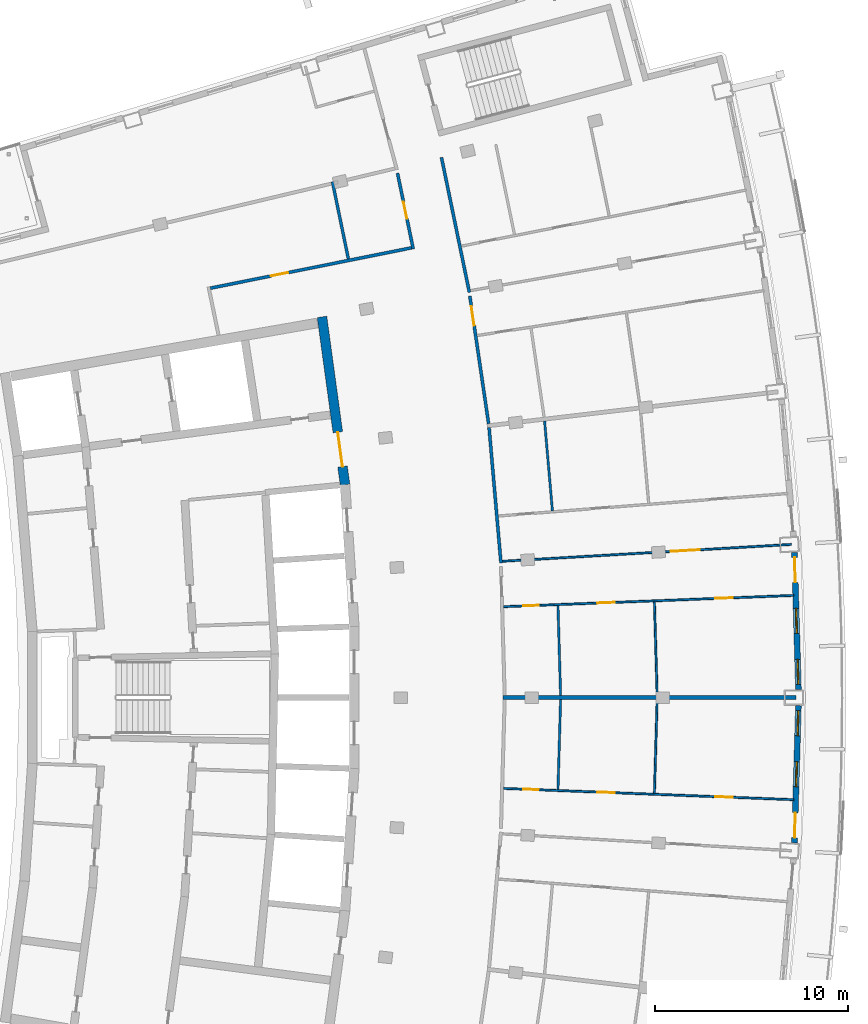
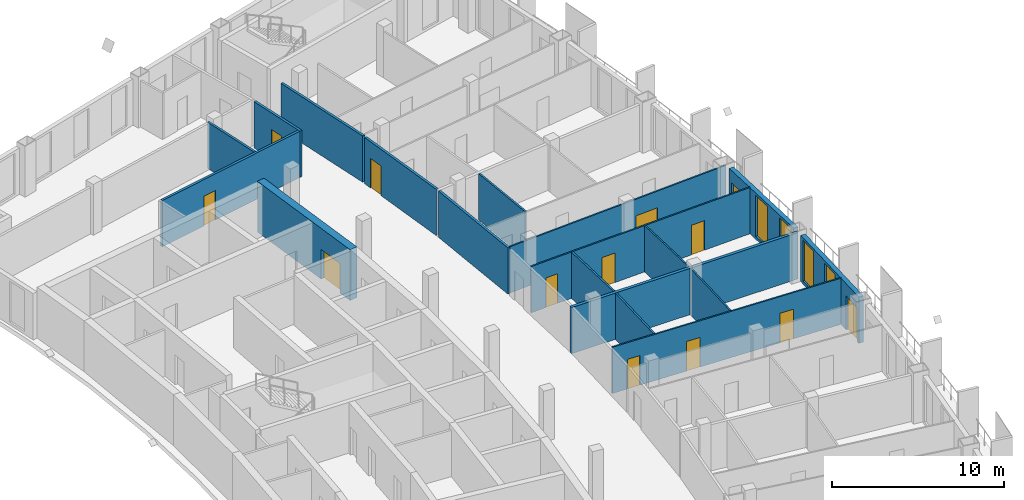
# One storey, part 11 of 17: 18 walls, 13 doors, 4 windows, 17 openings.
"""IFC4 building model written with IfcOpenShell, lengths in metres."""

from ifc_helpers import new_model, si_unit, direction, frame, frame_2d, origin, place, context, subcontext, project, spatial, rectangle, extrude, material, layer, layer_set, type_object, element, fill, save


model = new_model("IFC4")

# Units and contexts
model_context = context("Model", 3, precision=1e-05, world=origin(), true_north=direction((0.0, 1.0)))
body_context = subcontext(model_context, "Body", "Model", "MODEL_VIEW")
ifc_project = project(units=[si_unit("LENGTHUNIT", "METRE"), si_unit("AREAUNIT", "SQUARE_METRE"), si_unit("VOLUMEUNIT", "CUBIC_METRE"), si_unit("PLANEANGLEUNIT", "RADIAN"), si_unit("MASSUNIT", "GRAM", prefix="KILO")], contexts=[model_context])

# Site, building, storey
site_placement = place(None, origin())
site = spatial("IfcSite", under=ifc_project, at=site_placement, CompositionType="ELEMENT")
building_placement = place(site_placement, origin())
building = spatial("IfcBuilding", under=site, at=building_placement, Name="Alderwake Tower", CompositionType="ELEMENT")
storey_placement = place(building_placement, frame((0.0, 0.0, 274.39990234375)))
storey = spatial("IfcBuildingStorey", under=building, at=storey_placement, Name="L68", CompositionType="ELEMENT", Elevation=274.39990234375)

# Wall, opening, door
ifc_material_1 = material(Name="Concrete C70/85", Category="concrete")
ifc_layer_1 = layer(ifc_material_1, 0.5)
ifc_layer_set_1 = layer_set([ifc_layer_1], Name="Core wall outer 500 C70-85")
wall_type_1 = type_object("IfcWallType", Name="Core wall outer 500 C70-85", PredefinedType="SHEAR", material=ifc_layer_set_1)
wall_1_placement = place(storey_placement, frame((31.71728515625, 80.752685546875, 0.0), z_axis=(0.0, 0.0, 1.0), x_axis=(0.1358539401, -0.990728876615, 0.0)))
wall_1 = element("IfcWall", 1, at=wall_1_placement, inside=storey, type_object=wall_type_1, Name="Core wall CW.019", PredefinedType="SHEAR", context=body_context, shape_type="SweptSolid", body=[
    extrude(rectangle(XDim=8.794921875, YDim=0.5, at=frame_2d((4.3974609375, 0.0))), origin(), (0.0, 0.0, 1.0), 3.60009765625),
])
opening_1_placement = place(wall_1_placement, frame((6.0419921875, 0.0, 0.0)))
opening_1 = element("IfcOpeningElement", 2, at=opening_1_placement, cuts=wall_1, Name="Opening C001", PredefinedType="OPENING", context=body_context, shape_type="SweptSolid", body=[
    extrude(rectangle(XDim=1.800048828125, YDim=2.10009765625, at=frame_2d((0.89990234375, 1.050048828125))), frame((0.0, 0.260009765625, 0.0), z_axis=(0.0, -1.0, 0.0), x_axis=(1.0, 0.0, 0.0)), (0.0, 0.0, 1.0), 0.52001953125),
])
ifc_material_2 = material(Name="Steel-framed fire door leaves", Category="steel")
door_type_1 = type_object("IfcDoorType", Name="Core double door 1800 fire-rated", OperationType="DOUBLE_DOOR_SINGLE_SWING", PredefinedType="DOOR", material=ifc_material_2)
door_1_placement = place(opening_1_placement, origin())
door_1 = element("IfcDoor", 3, at=door_1_placement, inside=storey, type_object=door_type_1, Name="Lobby double door", OperationType="DOUBLE_DOOR_SINGLE_SWING", OverallHeight=2.10009765625, OverallWidth=1.800048828125, PredefinedType="DOOR", context=body_context, shape_type="SweptSolid", body=[
    extrude(rectangle(XDim=1.800048828125, YDim=2.10009765625, at=frame_2d((0.89990234375, 1.050048828125))), frame((0.0, 0.02490234375, 0.0), z_axis=(0.0, -1.0, 0.0), x_axis=(1.0, 0.0, 0.0)), (0.0, 0.0, 1.0), 0.050048828125),
])
fill(opening_1, door_1)

ifc_material_3 = material(Name="Gypsum board on metal studs, rated")
ifc_layer_2 = layer(ifc_material_3, 0.159912109375)
ifc_layer_set_2 = layer_set([ifc_layer_2], Name="Corridor wall 160")
wall_type_2 = type_object("IfcWallType", Name="Corridor wall 160", PredefinedType="PARTITIONING", material=ifc_layer_set_2)
wall_2_placement = place(storey_placement, frame((36.451416015625, 84.272705078125, 0.0), z_axis=(0.0, 0.0, 1.0), x_axis=(-0.203258199701, 0.979125172924, 0.0)))
wall_2 = element("IfcWall", 4, at=wall_2_placement, inside=storey, type_object=wall_type_2, Name="WL/L68/W15", PredefinedType="PARTITIONING", context=body_context, shape_type="SweptSolid", body=[
    extrude(rectangle(XDim=4.020263671875, YDim=0.159912109375, at=frame_2d((2.01025390625, 0.0))), origin(), (0.0, 0.0, 1.0), 3.280029296875),
])
opening_2_placement = place(wall_2_placement, frame((1.599609375, 0.0, 0.0)))
opening_2 = element("IfcOpeningElement", 5, at=opening_2_placement, cuts=wall_2, Name="Opening R19-SBN2", PredefinedType="OPENING", context=body_context, shape_type="SweptSolid", body=[
    extrude(rectangle(XDim=0.89990234375, YDim=2.10009765625, at=frame_2d((0.449951171875, 1.050048828125))), frame((0.0, 0.08984375, 0.0), z_axis=(0.0, -1.0, 0.0), x_axis=(1.0, 0.0, 0.0)), (0.0, 0.0, 1.0), 0.179931640625),
])
ifc_material_4 = material(Name="Painted timber leaf", Category="wood")
door_type_2 = type_object("IfcDoorType", Name="Room door 900", OperationType="SINGLE_SWING_LEFT", PredefinedType="DOOR", material=ifc_material_4)
door_2_placement = place(opening_2_placement, origin())
door_2 = element("IfcDoor", 6, at=door_2_placement, inside=storey, type_object=door_type_2, Name="DR/L68/SBN2", OperationType="SINGLE_SWING_LEFT", OverallHeight=2.10009765625, OverallWidth=0.89990234375, PredefinedType="DOOR", context=body_context, shape_type="SweptSolid", body=[
    extrude(rectangle(XDim=0.89990234375, YDim=2.10009765625, at=frame_2d((0.449951171875, 1.050048828125))), frame((0.0, 0.02490234375, 0.0), z_axis=(0.0, -1.0, 0.0), x_axis=(1.0, 0.0, 0.0)), (0.0, 0.0, 1.0), 0.050048828125),
])
fill(opening_2, door_2)

wall_3_placement = place(storey_placement, frame((25.926513671875, 82.24267578125, 0.0), z_axis=(0.0, 0.0, 1.0), x_axis=(0.98046310274, 0.196703086316, 0.0)))
wall_3 = element("IfcWall", 7, at=wall_3_placement, inside=storey, type_object=wall_type_2, Name="WL/L68/W17", PredefinedType="PARTITIONING", context=body_context, shape_type="SweptSolid", body=[
    extrude(rectangle(XDim=10.637939453125, YDim=0.159912109375, at=frame_2d((5.31884765625, 0.0))), origin(), (0.0, 0.0, 1.0), 3.280029296875),
])
opening_3_placement = place(wall_3_placement, frame((3.208984375, 0.0, 0.0)))
opening_3 = element("IfcOpeningElement", 8, at=opening_3_placement, cuts=wall_3, Name="Opening R19-SBN1", PredefinedType="OPENING", context=body_context, shape_type="SweptSolid", body=[
    extrude(rectangle(XDim=0.89990234375, YDim=2.10009765625, at=frame_2d((0.449951171875, 1.050048828125))), frame((0.0, 0.08984375, 0.0), z_axis=(0.0, -1.0, 0.0), x_axis=(1.0, 0.0, 0.0)), (0.0, 0.0, 1.0), 0.179931640625),
])
door_3_placement = place(opening_3_placement, origin())
door_3 = element("IfcDoor", 9, at=door_3_placement, inside=storey, type_object=door_type_2, Name="DR/L68/SBN1", OperationType="SINGLE_SWING_LEFT", OverallHeight=2.10009765625, OverallWidth=0.89990234375, PredefinedType="DOOR", context=body_context, shape_type="SweptSolid", body=[
    extrude(rectangle(XDim=0.89990234375, YDim=2.10009765625, at=frame_2d((0.449951171875, 1.050048828125))), frame((0.0, 0.02490234375, 0.0), z_axis=(0.0, -1.0, 0.0), x_axis=(1.0, 0.0, 0.0)), (0.0, 0.0, 1.0), 0.050048828125),
])
fill(opening_3, door_3)

# Wall
wall_4_placement = place(storey_placement, frame((39.3642578125, 82.022705078125, 0.0), z_axis=(0.0, 0.0, 1.0), x_axis=(-0.202409142021, 0.979301046271, 0.0)))
element("IfcWall", 10, at=wall_4_placement, inside=storey, type_object=wall_type_2, Name="WL/L68/W20", PredefinedType="PARTITIONING", context=body_context, shape_type="SweptSolid", body=[
    extrude(rectangle(XDim=7.150146484375, YDim=0.159912109375, at=frame_2d((3.5751953125, 0.0))), origin(), (0.0, 0.0, 1.0), 3.280029296875),
])

# Wall, opening, door
wall_5_placement = place(storey_placement, frame((39.38671875, 81.837158203125, 0.0), z_axis=(0.0, 0.0, 1.0), x_axis=(0.145576845789, -0.989346947218, 0.0)))
wall_5 = element("IfcWall", 11, at=wall_5_placement, inside=storey, type_object=wall_type_2, Name="WL/L68/W21", PredefinedType="PARTITIONING", context=body_context, shape_type="SweptSolid", body=[
    extrude(rectangle(XDim=6.701416015625, YDim=0.159912109375, at=frame_2d((3.3505859375, 0.0))), origin(), (0.0, 0.0, 1.0), 3.280029296875),
])
opening_4_placement = place(wall_5_placement, frame((0.54443359375, 0.0, 0.0)))
opening_4 = element("IfcOpeningElement", 12, at=opening_4_placement, cuts=wall_5, Name="Opening R19-U06.2", PredefinedType="OPENING", context=body_context, shape_type="SweptSolid", body=[
    extrude(rectangle(XDim=1.0, YDim=2.10009765625, at=frame_2d((0.5, 1.050048828125))), frame((0.0, 0.08984375, 0.0), z_axis=(0.0, -1.0, 0.0), x_axis=(1.0, 0.0, 0.0)), (0.0, 0.0, 1.0), 0.179931640625),
])
ifc_material_5 = material(Name="Solid timber leaf in steel frame", Category="steel")
door_type_3 = type_object("IfcDoorType", Name="Flat entrance door 1000 fire-rated", OperationType="SINGLE_SWING_LEFT", PredefinedType="DOOR", material=ifc_material_5)
door_4_placement = place(opening_4_placement, origin())
door_4 = element("IfcDoor", 13, at=door_4_placement, inside=storey, type_object=door_type_3, Name="DR/L68/U06.2", OperationType="SINGLE_SWING_LEFT", OverallHeight=2.10009765625, OverallWidth=1.0, PredefinedType="DOOR", context=body_context, shape_type="SweptSolid", body=[
    extrude(rectangle(XDim=1.0, YDim=2.10009765625, at=frame_2d((0.5, 1.050048828125))), frame((0.0, 0.02490234375, 0.0), z_axis=(0.0, -1.0, 0.0), x_axis=(1.0, 0.0, 0.0)), (0.0, 0.0, 1.0), 0.050048828125),
])
fill(opening_4, door_4)

# Wall
wall_6_placement = place(storey_placement, frame((41.001953125, 67.9873046875, 0.0), z_axis=(0.0, 0.0, 1.0), x_axis=(-0.087430787456, 0.996170596537, 0.0)))
element("IfcWall", 14, at=wall_6_placement, inside=storey, type_object=wall_type_2, Name="WL/L68/W24", PredefinedType="PARTITIONING", context=body_context, shape_type="SweptSolid", body=[
    extrude(rectangle(XDim=7.048095703125, YDim=0.159912109375, at=frame_2d((3.52392578125, 0.0))), origin(), (0.0, 0.0, 1.0), 3.280029296875),
])

# Wall, openings, door, windows
ifc_material_6 = material(Name="Precast concrete C50/60 spandrel panel", Category="concrete")
ifc_layer_3 = layer(ifc_material_6, 0.300048828125)
ifc_layer_set_3 = layer_set([ifc_layer_3], Name="External wall EW1 Precast concrete C50/60 spandrel")
wall_type_3 = type_object("IfcWallType", Name="External wall EW1 Precast concrete C50/60 spandrel", PredefinedType="SOLIDWALL", material=ifc_layer_set_3)
wall_7_placement = place(storey_placement, frame((56.230224609375, 53.46630859375, 0.0), z_axis=(0.0, 0.0, 1.0), x_axis=(0.029165124817, 0.999574607268, 0.0)))
wall_7 = element("IfcWall", 15, at=wall_7_placement, inside=storey, type_object=wall_type_3, Name="External wall 15", PredefinedType="SOLIDWALL", context=body_context, shape_type="SweptSolid", body=[
    extrude(rectangle(XDim=7.115234375, YDim=0.300048828125, at=frame_2d((3.5576171875, 0.0))), origin(), (0.0, 0.0, 1.0), 3.280029296875),
])
opening_5_placement = place(wall_7_placement, frame((0.259521484375, 0.0, 0.0)))
opening_5 = element("IfcOpeningElement", 16, at=opening_5_placement, cuts=wall_7, Name="Opening D05", PredefinedType="OPENING", context=body_context, shape_type="SweptSolid", body=[
    extrude(rectangle(XDim=1.300048828125, YDim=2.39990234375, at=frame_2d((0.64990234375, 1.199951171875))), frame((0.0, 0.159912109375, 0.0), z_axis=(0.0, -1.0, 0.0), x_axis=(1.0, 0.0, 0.0)), (0.0, 0.0, 1.0), 0.320068359375),
])
opening_6_placement = place(wall_7_placement, frame((2.907470703125, 0.0, 0.199951171875)))
opening_6 = element("IfcOpeningElement", 17, at=opening_6_placement, cuts=wall_7, Name="Opening W1", PredefinedType="OPENING", context=body_context, shape_type="SweptSolid", body=[
    extrude(rectangle(XDim=1.300048828125, YDim=2.89990234375, at=frame_2d((0.64990234375, 1.449951171875))), frame((0.0, 0.159912109375, 0.0), z_axis=(0.0, -1.0, 0.0), x_axis=(1.0, 0.0, 0.0)), (0.0, 0.0, 1.0), 0.320068359375),
])
opening_7_placement = place(wall_7_placement, frame((5.555419921875, 0.0, 0.199951171875)))
opening_7 = element("IfcOpeningElement", 18, at=opening_7_placement, cuts=wall_7, Name="Opening W1", PredefinedType="OPENING", context=body_context, shape_type="SweptSolid", body=[
    extrude(rectangle(XDim=1.300048828125, YDim=2.89990234375, at=frame_2d((0.64990234375, 1.449951171875))), frame((0.0, 0.159912109375, 0.0), z_axis=(0.0, -1.0, 0.0), x_axis=(1.0, 0.0, 0.0)), (0.0, 0.0, 1.0), 0.320068359375),
])
ifc_material_7 = material(Name="Bronze tinted glass in aluminium frame", Category="aluminium")
door_type_4 = type_object("IfcDoorType", Name="Balcony door BD sliding", OperationType="SLIDING_TO_LEFT", PredefinedType="DOOR", material=ifc_material_7)
door_5_placement = place(opening_5_placement, origin())
door_5 = element("IfcDoor", 19, at=door_5_placement, inside=storey, type_object=door_type_4, Name="Door D05", OperationType="SLIDING_TO_LEFT", OverallHeight=2.39990234375, OverallWidth=1.300048828125, PredefinedType="DOOR", context=body_context, shape_type="SweptSolid", body=[
    extrude(rectangle(XDim=1.300048828125, YDim=2.39990234375, at=frame_2d((0.64990234375, 1.199951171875))), frame((0.0, 0.02490234375, 0.0), z_axis=(0.0, -1.0, 0.0), x_axis=(1.0, 0.0, 0.0)), (0.0, 0.0, 1.0), 0.050048828125),
])
fill(opening_5, door_5)
ifc_material_8 = material(Name="Bronze tinted glass in aluminium frame", Category="aluminium")
window_type = type_object("IfcWindowType", Name="Window W1 tall fixed and vent", PartitioningType="DOUBLE_PANEL_VERTICAL", PredefinedType="WINDOW", material=ifc_material_8)
window_1_placement = place(opening_6_placement, origin())
window_1 = element("IfcWindow", 20, at=window_1_placement, inside=storey, type_object=window_type, Name="Window W1 tall fixed and vent", OverallHeight=2.89990234375, OverallWidth=1.300048828125, PartitioningType="DOUBLE_PANEL_VERTICAL", PredefinedType="WINDOW", context=body_context, shape_type="SweptSolid", body=[
    extrude(rectangle(XDim=1.300048828125, YDim=2.89990234375, at=frame_2d((0.64990234375, 1.449951171875))), frame((0.0, 0.030029296875, 0.0), z_axis=(0.0, -1.0, 0.0), x_axis=(1.0, 0.0, 0.0)), (0.0, 0.0, 1.0), 0.06005859375),
])
fill(opening_6, window_1)
window_2_placement = place(opening_7_placement, origin())
window_2 = element("IfcWindow", 21, at=window_2_placement, inside=storey, type_object=window_type, Name="Window W1 tall fixed and vent", OverallHeight=2.89990234375, OverallWidth=1.300048828125, PartitioningType="DOUBLE_PANEL_VERTICAL", PredefinedType="WINDOW", context=body_context, shape_type="SweptSolid", body=[
    extrude(rectangle(XDim=1.300048828125, YDim=2.89990234375, at=frame_2d((0.64990234375, 1.449951171875))), frame((0.0, 0.030029296875, 0.0), z_axis=(0.0, -1.0, 0.0), x_axis=(1.0, 0.0, 0.0)), (0.0, 0.0, 1.0), 0.06005859375),
])
fill(opening_7, window_2)

wall_8_placement = place(storey_placement, frame((56.437744140625, 61.42138671875, 0.0), z_axis=(0.0, 0.0, 1.0), x_axis=(-0.029165124817, 0.999574607268, 0.0)))
wall_8 = element("IfcWall", 22, at=wall_8_placement, inside=storey, type_object=wall_type_3, Name="External wall 16", PredefinedType="SOLIDWALL", context=body_context, shape_type="SweptSolid", body=[
    extrude(rectangle(XDim=7.115234375, YDim=0.300048828125, at=frame_2d((3.5576171875, 0.0))), origin(), (0.0, 0.0, 1.0), 3.280029296875),
])
opening_8_placement = place(wall_8_placement, frame((0.259521484375, 0.0, 0.199951171875)))
opening_8 = element("IfcOpeningElement", 23, at=opening_8_placement, cuts=wall_8, Name="Opening W1", PredefinedType="OPENING", context=body_context, shape_type="SweptSolid", body=[
    extrude(rectangle(XDim=1.300048828125, YDim=2.89990234375, at=frame_2d((0.64990234375, 1.449951171875))), frame((0.0, 0.159912109375, 0.0), z_axis=(0.0, -1.0, 0.0), x_axis=(1.0, 0.0, 0.0)), (0.0, 0.0, 1.0), 0.320068359375),
])
opening_9_placement = place(wall_8_placement, frame((2.907470703125, 0.0, 0.199951171875)))
opening_9 = element("IfcOpeningElement", 24, at=opening_9_placement, cuts=wall_8, Name="Opening W1", PredefinedType="OPENING", context=body_context, shape_type="SweptSolid", body=[
    extrude(rectangle(XDim=1.300048828125, YDim=2.89990234375, at=frame_2d((0.64990234375, 1.449951171875))), frame((0.0, 0.159912109375, 0.0), z_axis=(0.0, -1.0, 0.0), x_axis=(1.0, 0.0, 0.0)), (0.0, 0.0, 1.0), 0.320068359375),
])
opening_10_placement = place(wall_8_placement, frame((5.555419921875, 0.0, 0.0)))
opening_10 = element("IfcOpeningElement", 25, at=opening_10_placement, cuts=wall_8, Name="Opening D06", PredefinedType="OPENING", context=body_context, shape_type="SweptSolid", body=[
    extrude(rectangle(XDim=1.300048828125, YDim=2.39990234375, at=frame_2d((0.64990234375, 1.199951171875))), frame((0.0, 0.159912109375, 0.0), z_axis=(0.0, -1.0, 0.0), x_axis=(1.0, 0.0, 0.0)), (0.0, 0.0, 1.0), 0.320068359375),
])
door_6_placement = place(opening_10_placement, origin())
door_6 = element("IfcDoor", 26, at=door_6_placement, inside=storey, type_object=door_type_4, Name="Door D06", OperationType="SLIDING_TO_LEFT", OverallHeight=2.39990234375, OverallWidth=1.300048828125, PredefinedType="DOOR", context=body_context, shape_type="SweptSolid", body=[
    extrude(rectangle(XDim=1.300048828125, YDim=2.39990234375, at=frame_2d((0.64990234375, 1.199951171875))), frame((0.0, 0.02490234375, 0.0), z_axis=(0.0, -1.0, 0.0), x_axis=(1.0, 0.0, 0.0)), (0.0, 0.0, 1.0), 0.050048828125),
])
fill(opening_10, door_6)
window_3_placement = place(opening_8_placement, origin())
window_3 = element("IfcWindow", 27, at=window_3_placement, inside=storey, type_object=window_type, Name="Window W1 tall fixed and vent", OverallHeight=2.89990234375, OverallWidth=1.300048828125, PartitioningType="DOUBLE_PANEL_VERTICAL", PredefinedType="WINDOW", context=body_context, shape_type="SweptSolid", body=[
    extrude(rectangle(XDim=1.300048828125, YDim=2.89990234375, at=frame_2d((0.64990234375, 1.449951171875))), frame((0.0, 0.030029296875, 0.0), z_axis=(0.0, -1.0, 0.0), x_axis=(1.0, 0.0, 0.0)), (0.0, 0.0, 1.0), 0.06005859375),
])
fill(opening_8, window_3)
window_4_placement = place(opening_9_placement, origin())
window_4 = element("IfcWindow", 28, at=window_4_placement, inside=storey, type_object=window_type, Name="Window W1 tall fixed and vent", OverallHeight=2.89990234375, OverallWidth=1.300048828125, PartitioningType="DOUBLE_PANEL_VERTICAL", PredefinedType="WINDOW", context=body_context, shape_type="SweptSolid", body=[
    extrude(rectangle(XDim=1.300048828125, YDim=2.89990234375, at=frame_2d((0.64990234375, 1.449951171875))), frame((0.0, 0.030029296875, 0.0), z_axis=(0.0, -1.0, 0.0), x_axis=(1.0, 0.0, 0.0)), (0.0, 0.0, 1.0), 0.06005859375),
])
fill(opening_9, window_4)

# Walls
ifc_material_9 = material(Name="Dense block masonry wall", Category="masonry")
ifc_layer_4 = layer(ifc_material_9, 0.199951171875)
ifc_layer_set_4 = layer_set([ifc_layer_4], Name="Party wall 200")
wall_type_4 = type_object("IfcWallType", Name="Party wall 200", PredefinedType="SOLIDWALL", material=ifc_layer_set_4)
wall_9_placement = place(storey_placement, frame((56.301025390625, 60.9990234375, 0.0), z_axis=(0.0, 0.0, 1.0), x_axis=(-1.0, 0.0, 0.0)))
element("IfcWall", 29, at=wall_9_placement, inside=storey, type_object=wall_type_4, Name="WL/L68/W03", PredefinedType="SOLIDWALL", context=body_context, shape_type="SweptSolid", body=[
    extrude(rectangle(XDim=15.18212890625, YDim=0.199951171875, at=frame_2d((7.591064453125, 0.0))), origin(), (0.0, 0.0, 1.0), 3.280029296875),
])
ifc_material_10 = material(Name="Gypsum shaft wall system, rated")
ifc_layer_5 = layer(ifc_material_10, 0.14990234375)
ifc_layer_set_5 = layer_set([ifc_layer_5], Name="Riser and shaft wall 150")
wall_type_5 = type_object("IfcWallType", Name="Riser and shaft wall 150", PredefinedType="PARTITIONING", material=ifc_layer_set_5)
wall_10_placement = place(storey_placement, frame((33.085693359375, 83.76025390625, 0.0), z_axis=(0.0, 0.0, 1.0), x_axis=(-0.202579923059, 0.979265732462, 0.0)))
element("IfcWall", 30, at=wall_10_placement, inside=storey, type_object=wall_type_5, Name="WL/L68/W05", PredefinedType="PARTITIONING", context=body_context, shape_type="SweptSolid", body=[
    extrude(rectangle(XDim=4.086669921875, YDim=0.14990234375, at=frame_2d((2.04345703125, 0.0))), origin(), (0.0, 0.0, 1.0), 3.280029296875),
])

# Wall, openings, doors
ifc_material_11 = material(Name="Gypsum board on metal studs")
ifc_layer_6 = layer(ifc_material_11, 0.10009765625)
ifc_layer_set_6 = layer_set([ifc_layer_6], Name="Unit partition 100")
wall_type_6 = type_object("IfcWallType", Name="Unit partition 100", PredefinedType="PARTITIONING", material=ifc_layer_set_6)
wall_11_placement = place(storey_placement, frame((41.143798828125, 56.285888671875, 0.0), z_axis=(0.0, 0.0, 1.0), x_axis=(0.999245431944, -0.038840272135, 0.0)))
wall_11 = element("IfcWall", 31, at=wall_11_placement, inside=storey, type_object=wall_type_6, Name="WL/L68/W44", PredefinedType="PARTITIONING", context=body_context, shape_type="SweptSolid", body=[
    extrude(rectangle(XDim=15.060791015625, YDim=0.10009765625, at=frame_2d((7.5302734375, 0.0))), origin(), (0.0, 0.0, 1.0), 3.280029296875),
])
opening_11_placement = place(wall_11_placement, frame((4.87158203125, 0.0, 0.0)))
opening_11 = element("IfcOpeningElement", 32, at=opening_11_placement, cuts=wall_11, Name="Opening R19-U04.5", PredefinedType="OPENING", context=body_context, shape_type="SweptSolid", body=[
    extrude(rectangle(XDim=0.89990234375, YDim=2.10009765625, at=frame_2d((0.449951171875, 1.050048828125))), frame((0.0, 0.06005859375, 0.0), z_axis=(0.0, -1.0, 0.0), x_axis=(1.0, 0.0, 0.0)), (0.0, 0.0, 1.0), 0.1201171875),
])
opening_12_placement = place(wall_11_placement, frame((1.0087890625, 0.0, 0.0)))
opening_12 = element("IfcOpeningElement", 33, at=opening_12_placement, cuts=wall_11, Name="Opening R19-U04.6", PredefinedType="OPENING", context=body_context, shape_type="SweptSolid", body=[
    extrude(rectangle(XDim=0.800048828125, YDim=2.10009765625, at=frame_2d((0.39990234375, 1.050048828125))), frame((0.0, 0.06005859375, 0.0), z_axis=(0.0, -1.0, 0.0), x_axis=(1.0, 0.0, 0.0)), (0.0, 0.0, 1.0), 0.1201171875),
])
opening_13_placement = place(wall_11_placement, frame((10.992919921875, 0.0, 0.0)))
opening_13 = element("IfcOpeningElement", 34, at=opening_13_placement, cuts=wall_11, Name="Opening R19-U04.7", PredefinedType="OPENING", context=body_context, shape_type="SweptSolid", body=[
    extrude(rectangle(XDim=0.89990234375, YDim=2.10009765625, at=frame_2d((0.449951171875, 1.050048828125))), frame((0.0, 0.06005859375, 0.0), z_axis=(0.0, -1.0, 0.0), x_axis=(1.0, 0.0, 0.0)), (0.0, 0.0, 1.0), 0.1201171875),
])
ifc_material_12 = material(Name="Painted timber leaf", Category="wood")
door_type_5 = type_object("IfcDoorType", Name="Bathroom door 800", OperationType="SINGLE_SWING_LEFT", PredefinedType="DOOR", material=ifc_material_12)
door_7_placement = place(opening_12_placement, origin())
door_7 = element("IfcDoor", 35, at=door_7_placement, inside=storey, type_object=door_type_5, Name="DR/L68/U04.6", OperationType="SINGLE_SWING_LEFT", OverallHeight=2.10009765625, OverallWidth=0.800048828125, PredefinedType="DOOR", context=body_context, shape_type="SweptSolid", body=[
    extrude(rectangle(XDim=0.800048828125, YDim=2.10009765625, at=frame_2d((0.39990234375, 1.050048828125))), frame((0.0, 0.02490234375, 0.0), z_axis=(0.0, -1.0, 0.0), x_axis=(1.0, 0.0, 0.0)), (0.0, 0.0, 1.0), 0.050048828125),
])
fill(opening_12, door_7)
door_8_placement = place(opening_11_placement, origin())
door_8 = element("IfcDoor", 36, at=door_8_placement, inside=storey, type_object=door_type_2, Name="DR/L68/U04.5", OperationType="SINGLE_SWING_LEFT", OverallHeight=2.10009765625, OverallWidth=0.89990234375, PredefinedType="DOOR", context=body_context, shape_type="SweptSolid", body=[
    extrude(rectangle(XDim=0.89990234375, YDim=2.10009765625, at=frame_2d((0.449951171875, 1.050048828125))), frame((0.0, 0.02490234375, 0.0), z_axis=(0.0, -1.0, 0.0), x_axis=(1.0, 0.0, 0.0)), (0.0, 0.0, 1.0), 0.050048828125),
])
fill(opening_11, door_8)
door_9_placement = place(opening_13_placement, origin())
door_9 = element("IfcDoor", 37, at=door_9_placement, inside=storey, type_object=door_type_2, Name="DR/L68/U04.7", OperationType="SINGLE_SWING_LEFT", OverallHeight=2.10009765625, OverallWidth=0.89990234375, PredefinedType="DOOR", context=body_context, shape_type="SweptSolid", body=[
    extrude(rectangle(XDim=0.89990234375, YDim=2.10009765625, at=frame_2d((0.449951171875, 1.050048828125))), frame((0.0, 0.02490234375, 0.0), z_axis=(0.0, -1.0, 0.0), x_axis=(1.0, 0.0, 0.0)), (0.0, 0.0, 1.0), 0.050048828125),
])
fill(opening_13, door_9)

wall_12_placement = place(storey_placement, frame((56.193115234375, 66.300048828125, 0.0), z_axis=(0.0, 0.0, 1.0), x_axis=(-0.999245431944, -0.038840272135, 0.0)))
wall_12 = element("IfcWall", 38, at=wall_12_placement, inside=storey, type_object=wall_type_6, Name="WL/L68/W45", PredefinedType="PARTITIONING", context=body_context, shape_type="SweptSolid", body=[
    extrude(rectangle(XDim=15.060791015625, YDim=0.10009765625, at=frame_2d((7.5302734375, 0.0))), origin(), (0.0, 0.0, 1.0), 3.280029296875),
])
opening_14_placement = place(wall_12_placement, frame((9.2890625, 0.0, 0.0)))
opening_14 = element("IfcOpeningElement", 39, at=opening_14_placement, cuts=wall_12, Name="Opening R19-U05.1", PredefinedType="OPENING", context=body_context, shape_type="SweptSolid", body=[
    extrude(rectangle(XDim=0.89990234375, YDim=2.10009765625, at=frame_2d((0.449951171875, 1.050048828125))), frame((0.0, 0.06005859375, 0.0), z_axis=(0.0, -1.0, 0.0), x_axis=(1.0, 0.0, 0.0)), (0.0, 0.0, 1.0), 0.1201171875),
])
opening_15_placement = place(wall_12_placement, frame((13.251708984375, 0.0, 0.0)))
opening_15 = element("IfcOpeningElement", 40, at=opening_15_placement, cuts=wall_12, Name="Opening R19-U05.3", PredefinedType="OPENING", context=body_context, shape_type="SweptSolid", body=[
    extrude(rectangle(XDim=0.800048828125, YDim=2.10009765625, at=frame_2d((0.39990234375, 1.050048828125))), frame((0.0, 0.06005859375, 0.0), z_axis=(0.0, -1.0, 0.0), x_axis=(1.0, 0.0, 0.0)), (0.0, 0.0, 1.0), 0.1201171875),
])
opening_16_placement = place(wall_12_placement, frame((3.16748046875, 0.0, 0.0)))
opening_16 = element("IfcOpeningElement", 41, at=opening_16_placement, cuts=wall_12, Name="Opening R19-U05.4", PredefinedType="OPENING", context=body_context, shape_type="SweptSolid", body=[
    extrude(rectangle(XDim=0.89990234375, YDim=2.10009765625, at=frame_2d((0.449951171875, 1.050048828125))), frame((0.0, 0.06005859375, 0.0), z_axis=(0.0, -1.0, 0.0), x_axis=(1.0, 0.0, 0.0)), (0.0, 0.0, 1.0), 0.1201171875),
])
door_10_placement = place(opening_15_placement, origin())
door_10 = element("IfcDoor", 42, at=door_10_placement, inside=storey, type_object=door_type_5, Name="DR/L68/U05.3", OperationType="SINGLE_SWING_LEFT", OverallHeight=2.10009765625, OverallWidth=0.800048828125, PredefinedType="DOOR", context=body_context, shape_type="SweptSolid", body=[
    extrude(rectangle(XDim=0.800048828125, YDim=2.10009765625, at=frame_2d((0.39990234375, 1.050048828125))), frame((0.0, 0.02490234375, 0.0), z_axis=(0.0, -1.0, 0.0), x_axis=(1.0, 0.0, 0.0)), (0.0, 0.0, 1.0), 0.050048828125),
])
fill(opening_15, door_10)
door_11_placement = place(opening_14_placement, origin())
door_11 = element("IfcDoor", 43, at=door_11_placement, inside=storey, type_object=door_type_2, Name="DR/L68/U05.1", OperationType="SINGLE_SWING_LEFT", OverallHeight=2.10009765625, OverallWidth=0.89990234375, PredefinedType="DOOR", context=body_context, shape_type="SweptSolid", body=[
    extrude(rectangle(XDim=0.89990234375, YDim=2.10009765625, at=frame_2d((0.449951171875, 1.050048828125))), frame((0.0, 0.02490234375, 0.0), z_axis=(0.0, -1.0, 0.0), x_axis=(1.0, 0.0, 0.0)), (0.0, 0.0, 1.0), 0.050048828125),
])
fill(opening_14, door_11)
door_12_placement = place(opening_16_placement, origin())
door_12 = element("IfcDoor", 44, at=door_12_placement, inside=storey, type_object=door_type_2, Name="DR/L68/U05.4", OperationType="SINGLE_SWING_LEFT", OverallHeight=2.10009765625, OverallWidth=0.89990234375, PredefinedType="DOOR", context=body_context, shape_type="SweptSolid", body=[
    extrude(rectangle(XDim=0.89990234375, YDim=2.10009765625, at=frame_2d((0.449951171875, 1.050048828125))), frame((0.0, 0.02490234375, 0.0), z_axis=(0.0, -1.0, 0.0), x_axis=(1.0, 0.0, 0.0)), (0.0, 0.0, 1.0), 0.050048828125),
])
fill(opening_16, door_12)

# Walls
wall_13_placement = place(storey_placement, frame((48.964599609375, 56.032958984375, 0.0), z_axis=(0.0, 0.0, 1.0), x_axis=(0.029288518569, 0.999570999319, 0.0)))
element("IfcWall", 45, at=wall_13_placement, inside=storey, type_object=wall_type_6, Name="WL/L68/W52", PredefinedType="PARTITIONING", context=body_context, shape_type="SweptSolid", body=[
    extrude(rectangle(XDim=4.8681640625, YDim=0.10009765625, at=frame_2d((2.43408203125, 0.0))), origin(), (0.0, 0.0, 1.0), 3.280029296875),
])
wall_14_placement = place(storey_placement, frame((49.107177734375, 61.09912109375, 0.0), z_axis=(0.0, 0.0, 1.0), x_axis=(-0.029270910336, 0.999571515104, 0.0)))
element("IfcWall", 46, at=wall_14_placement, inside=storey, type_object=wall_type_6, Name="WL/L68/W53", PredefinedType="PARTITIONING", context=body_context, shape_type="SweptSolid", body=[
    extrude(rectangle(XDim=4.87109375, YDim=0.10009765625, at=frame_2d((2.435546875, 0.0))), origin(), (0.0, 0.0, 1.0), 3.280029296875),
])

# Wall, opening, door
wall_15_placement = place(storey_placement, frame((41.074951171875, 68.07177734375, 0.0), z_axis=(0.0, 0.0, 1.0), x_axis=(0.998303956772, 0.058216921022, 0.0)))
wall_15 = element("IfcWall", 47, at=wall_15_placement, inside=storey, type_object=wall_type_6, Name="WL/L68/W57", PredefinedType="PARTITIONING", context=body_context, shape_type="SweptSolid", body=[
    extrude(rectangle(XDim=15.017333984375, YDim=0.10009765625, at=frame_2d((7.5087890625, 0.0))), origin(), (0.0, 0.0, 1.0), 3.280029296875),
])
opening_17_placement = place(wall_15_placement, frame((8.75048828125, 0.0, 0.0)))
opening_17 = element("IfcOpeningElement", 48, at=opening_17_placement, cuts=wall_15, Name="Opening R19-U05.8", PredefinedType="OPENING", context=body_context, shape_type="SweptSolid", body=[
    extrude(rectangle(XDim=1.5, YDim=2.10009765625, at=frame_2d((0.75, 1.050048828125))), frame((0.0, 0.06005859375, 0.0), z_axis=(0.0, -1.0, 0.0), x_axis=(1.0, 0.0, 0.0)), (0.0, 0.0, 1.0), 0.1201171875),
])
ifc_material_13 = material(Name="Painted timber leaves", Category="wood")
door_type_6 = type_object("IfcDoorType", Name="Double leaf door 1500", OperationType="DOUBLE_DOOR_SINGLE_SWING", PredefinedType="DOOR", material=ifc_material_13)
door_13_placement = place(opening_17_placement, origin())
door_13 = element("IfcDoor", 49, at=door_13_placement, inside=storey, type_object=door_type_6, Name="DR/L68/U05.8", OperationType="DOUBLE_DOOR_SINGLE_SWING", OverallHeight=2.10009765625, OverallWidth=1.5, PredefinedType="DOOR", context=body_context, shape_type="SweptSolid", body=[
    extrude(rectangle(XDim=1.5, YDim=2.10009765625, at=frame_2d((0.75, 1.050048828125))), frame((0.0, 0.02490234375, 0.0), z_axis=(0.0, -1.0, 0.0), x_axis=(1.0, 0.0, 0.0)), (0.0, 0.0, 1.0), 0.050048828125),
])
fill(opening_17, door_13)

# Walls
ifc_material_14 = material(Name="Moisture resistant gypsum board on metal studs")
ifc_layer_7 = layer(ifc_material_14, 0.1201171875)
ifc_layer_set_7 = layer_set([ifc_layer_7], Name="Wet room partition 120")
wall_type_7 = type_object("IfcWallType", Name="Wet room partition 120", PredefinedType="PARTITIONING", material=ifc_layer_set_7)
wall_16_placement = place(storey_placement, frame((43.672607421875, 70.687744140625, 0.0), z_axis=(0.0, 0.0, 1.0), x_axis=(-0.087010256841, 0.996207415755, 0.0)))
element("IfcWall", 50, at=wall_16_placement, inside=storey, type_object=wall_type_7, Name="WL/L68/W35", PredefinedType="PARTITIONING", context=body_context, shape_type="SweptSolid", body=[
    extrude(rectangle(XDim=4.677490234375, YDim=0.1201171875, at=frame_2d((2.3388671875, 0.0))), origin(), (0.0, 0.0, 1.0), 3.280029296875),
])
wall_17_placement = place(storey_placement, frame((43.96044921875, 56.22802734375, 0.0), z_axis=(0.0, 0.0, 1.0), x_axis=(0.029257801765, 0.999571898883, 0.0)))
element("IfcWall", 51, at=wall_17_placement, inside=storey, type_object=wall_type_7, Name="WL/L68/W36", PredefinedType="PARTITIONING", context=body_context, shape_type="SweptSolid", body=[
    extrude(rectangle(XDim=4.6728515625, YDim=0.1201171875, at=frame_2d((2.33642578125, 0.0))), origin(), (0.0, 0.0, 1.0), 3.280029296875),
])
wall_18_placement = place(storey_placement, frame((44.09716796875, 61.09912109375, 0.0), z_axis=(0.0, 0.0, 1.0), x_axis=(-0.029239477833, 0.999572435062, 0.0)))
element("IfcWall", 52, at=wall_18_placement, inside=storey, type_object=wall_type_7, Name="WL/L68/W37", PredefinedType="PARTITIONING", context=body_context, shape_type="SweptSolid", body=[
    extrude(rectangle(XDim=4.67578125, YDim=0.1201171875, at=frame_2d((2.337890625, 0.0))), origin(), (0.0, 0.0, 1.0), 3.280029296875),
])

save(model, "model.ifc")
